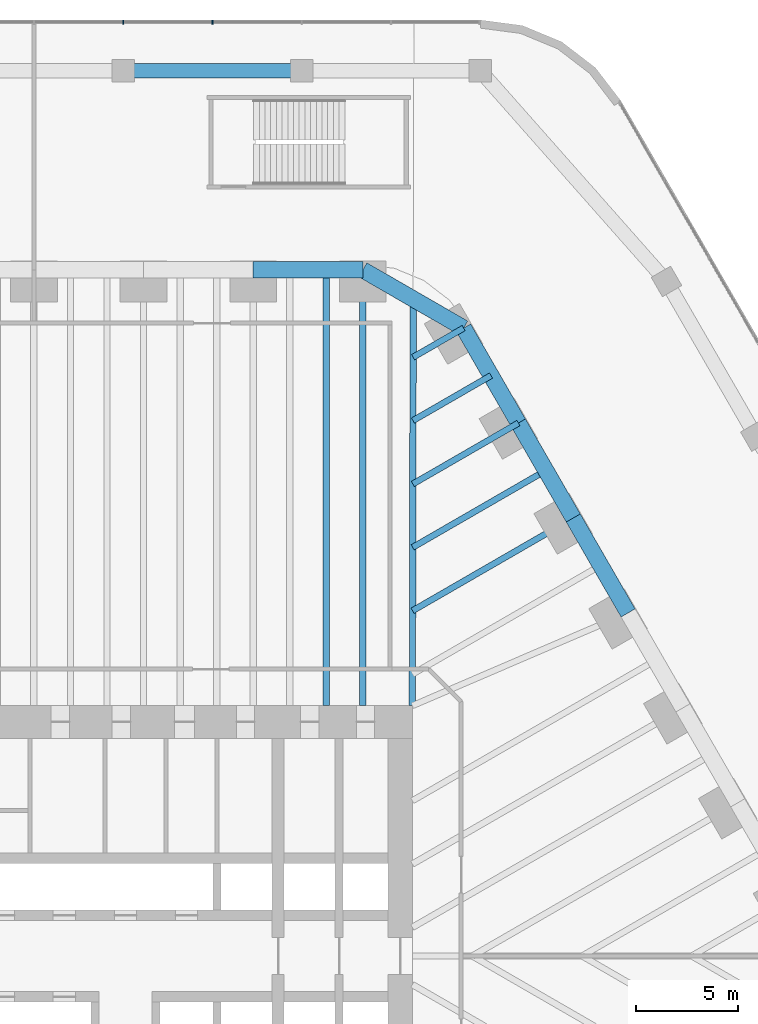
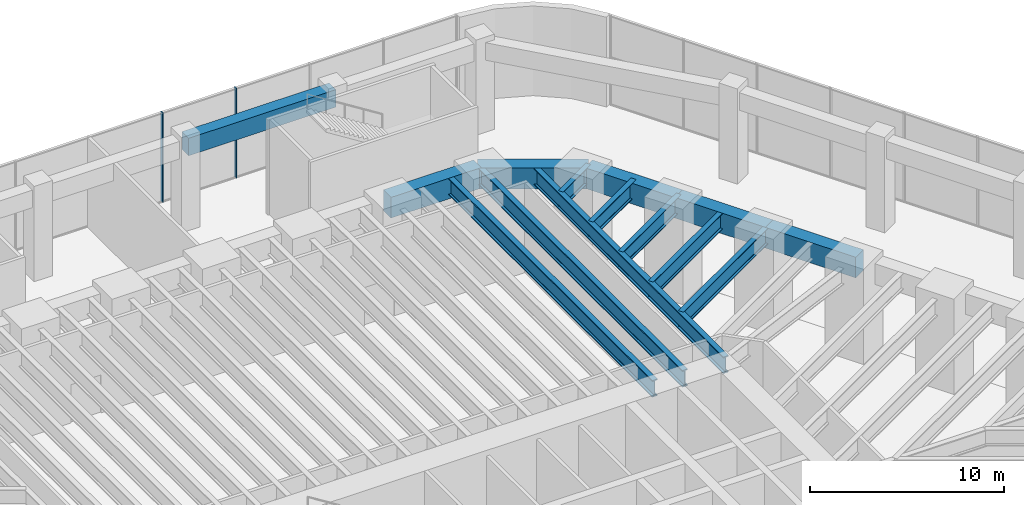
# One storey, part 20 of 31: 14 beams, 2 members, 1 element without a shape of its own.
"""IFC4 building model written with IfcOpenShell, lengths in metres."""

from ifc_helpers import new_model, si_unit, direction, frame, origin, origin_2d, place, context, subcontext, project, spatial, rectangle, i_section, extrude, material, material_profile, profile_set, type_object, element, aggregate, save


model = new_model("IFC4")

# Units and contexts
model_context = context("Model", 3, precision=1e-05, world=origin(), true_north=direction((0.0, 1.0)))
body_context = subcontext(model_context, "Body", "Model", "MODEL_VIEW")
ifc_project = project(units=[si_unit("LENGTHUNIT", "METRE"), si_unit("AREAUNIT", "SQUARE_METRE"), si_unit("VOLUMEUNIT", "CUBIC_METRE"), si_unit("PLANEANGLEUNIT", "RADIAN"), si_unit("MASSUNIT", "GRAM", prefix="KILO")], contexts=[model_context])

# Site, building, storey
site_placement = place(None, origin())
site = spatial("IfcSite", under=ifc_project, at=site_placement, CompositionType="ELEMENT")
building_placement = place(site_placement, origin())
building = spatial("IfcBuilding", under=site, at=building_placement, Name="Tarfa Lantern Tower", CompositionType="ELEMENT")
storey_placement = place(building_placement, frame((0.0, 0.0, 7.0)))
storey = spatial("IfcBuildingStorey", under=building, at=storey_placement, Name="L01", CompositionType="ELEMENT", Elevation=7.0)

# Curtain wall, members
ifc_material_1 = material(Name="Aluminium framed curtain wall", Category="aluminium")
curtain_wall_type = type_object("IfcCurtainWallType", Name="CW7 PODIUM GLAZING 5650", PredefinedType="USERDEFINED", material=ifc_material_1)
curtain_wall_placement = place(storey_placement, origin())
curtain_wall = element("IfcCurtainWall", 1, at=curtain_wall_placement, inside=storey, type_object=curtain_wall_type, Name="CW7 N L01", ObjectType="CURTAIN WALL", PredefinedType="USERDEFINED")
ifc_material_2 = material(Name="Aluminium mullion", Category="aluminium")
ifc_material_profile_1 = material_profile(ifc_material_2, rectangle(XDim=0.06494140625, YDim=0.199951171875, at=origin_2d()), Name="AL MULLION 65x200")
ifc_profile_set_1 = profile_set([ifc_material_profile_1], Name="Aluminium mullion")
member_type = type_object("IfcMemberType", Name="CWM1 MULLION 65x200", PredefinedType="MULLION", material=ifc_profile_set_1)
member_1_placement = place(storey_placement, frame((8.775634765625, 45.89990234375, 0.0), z_axis=(0.0, 0.0, 1.0), x_axis=(1.0, 0.0, 0.0)))
member_1 = element("IfcMember", 2, at=member_1_placement, type_object=member_type, Name="CW7 mullion 4", PredefinedType="MULLION", context=body_context, shape_type="SweptSolid", body=[
    extrude(rectangle(XDim=0.06494140625, YDim=0.199951171875, at=origin_2d()), origin(), (0.0, 0.0, 1.0), 5.64990234375),
])
member_2_placement = place(storey_placement, frame((4.387939453125, 45.89990234375, 0.0), z_axis=(0.0, 0.0, 1.0), x_axis=(1.0, 0.0, 0.0)))
member_2 = element("IfcMember", 3, at=member_2_placement, type_object=member_type, Name="CW7 mullion 5", PredefinedType="MULLION", context=body_context, shape_type="SweptSolid", body=[
    extrude(rectangle(XDim=0.06494140625, YDim=0.199951171875, at=origin_2d()), origin(), (0.0, 0.0, 1.0), 5.64990234375),
])
aggregate(curtain_wall, [member_1, member_2])

# Beams
ifc_material_3 = material(Name="Concrete C80/95", Category="concrete")
ifc_material_profile_2 = material_profile(ifc_material_3, rectangle(XDim=0.800048828125, YDim=1.300048828125, at=origin_2d()), Name="RC 800x1300")
ifc_profile_set_2 = profile_set([ifc_material_profile_2], Name="Concrete C80/95")
beam_type_1 = type_object("IfcBeamType", Name="EB1 RC 800x1300", PredefinedType="SPANDREL", material=ifc_profile_set_2)
beam_1_placement = place(storey_placement, frame((29.202392578125, 16.860107421875, 5.0), z_axis=(-0.500017906299, 0.866015065331, 0.0), x_axis=(-0.866015065331, -0.500017906299, 0.0)))
element("IfcBeam", 4, at=beam_1_placement, inside=storey, type_object=beam_type_1, Name="Edge beam NE3", PredefinedType="SPANDREL", context=body_context, shape_type="SweptSolid", body=[
    extrude(rectangle(XDim=0.800048828125, YDim=1.300048828125, at=origin_2d()), origin(), (0.0, 0.0, 1.0), 5.388427734375),
])
for number, where, z_axis, x_axis, name in (
    (5, (26.508056640625, 21.526611328125, 5.0), (-0.499998287579, 0.866026392449, 0.0), (-0.866026392449, -0.499998287579, 0.0), "Edge beam NE4"),
    (6, (23.813720703125, 26.193359375, 5.0), (-0.499998287579, 0.866026392449, 0.0), (-0.866026392449, -0.499998287579, 0.0), "Edge beam NE5"),
):
    element("IfcBeam", number, at=place(storey_placement, frame(where, z_axis=z_axis, x_axis=x_axis)), inside=storey, type_object=beam_type_1, Name=name, PredefinedType="SPANDREL", context=body_context, shape_type="SweptSolid", body=[
        extrude(rectangle(XDim=0.800048828125, YDim=1.300048828125, at=origin_2d()), origin(), (0.0, 0.0, 1.0), 5.388671875),
    ])
beam_2_placement = place(storey_placement, frame((21.119384765625, 30.860107421875, 5.0), z_axis=(-0.866033479681, 0.499986011877, 0.0), x_axis=(-0.499986011877, -0.866033479681, 0.0)))
element("IfcBeam", 7, at=beam_2_placement, inside=storey, type_object=beam_type_1, Name="Edge beam NE6", PredefinedType="SPANDREL", context=body_context, shape_type="SweptSolid", body=[
    extrude(rectangle(XDim=0.800048828125, YDim=1.300048828125, at=origin_2d()), origin(), (0.0, 0.0, 1.0), 5.719970703125),
])
beam_3_placement = place(storey_placement, frame((16.165771484375, 33.719970703125, 5.0), z_axis=(-1.0, 0.0, 0.0), x_axis=(0.0, -1.0, 0.0)))
element("IfcBeam", 8, at=beam_3_placement, inside=storey, type_object=beam_type_1, Name="Edge beam N0", PredefinedType="SPANDREL", context=body_context, shape_type="SweptSolid", body=[
    extrude(rectangle(XDim=0.800048828125, YDim=1.300048828125, at=origin_2d()), origin(), (0.0, 0.0, 1.0), 5.388671875),
])
ifc_material_profile_3 = material_profile(ifc_material_3, rectangle(XDim=0.699951171875, YDim=1.10009765625, at=origin_2d()), Name="RC 700x1100")
ifc_profile_set_3 = profile_set([ifc_material_profile_3], Name="Concrete C80/95")
beam_type_2 = type_object("IfcBeamType", Name="PB1 RC 700x1100", PredefinedType="BEAM", material=ifc_profile_set_3)
beam_4_placement = place(storey_placement, frame((13.16357421875, 43.5, 5.10009765625), z_axis=(-1.0, 0.0, 0.0), x_axis=(0.0, -1.0, 0.0)))
element("IfcBeam", 9, at=beam_4_placement, inside=storey, type_object=beam_type_2, Name="Podium ring beam N1", PredefinedType="BEAM", context=body_context, shape_type="SweptSolid", body=[
    extrude(rectangle(XDim=0.699951171875, YDim=1.10009765625, at=origin_2d()), origin(), (0.0, 0.0, 1.0), 8.775634765625),
])
ifc_material_4 = material(Name="Steel S460M", Category="steel")
ifc_material_profile_4 = material_profile(ifc_material_4, i_section(OverallWidth=0.302001953125, OverallDepth=1.008056640625, WebThickness=0.02099609375, FlangeThickness=0.0400390625, FilletRadius=0.030029296875, at=origin_2d()), Name="UB1016x305x349")
ifc_profile_set_4 = profile_set([ifc_material_profile_4], Name="Steel S460M")
beam_type_3 = type_object("IfcBeamType", Name="UB1016x305x349", PredefinedType="BEAM", material=ifc_profile_set_4)
beam_5_placement = place(storey_placement, frame((26.508056640625, 21.526611328125, 5.14599609375), z_axis=(-0.866035355799, -0.49998276221, 0.0), x_axis=(0.49998276221, -0.866035355799, 0.0)))
element("IfcBeam", 10, at=beam_5_placement, inside=storey, type_object=beam_type_3, Name="Floor beam NE4", PredefinedType="BEAM", context=body_context, shape_type="SweptSolid", body=[
    extrude(i_section(OverallWidth=0.302001953125, OverallDepth=1.008056640625, WebThickness=0.02099609375, FlangeThickness=0.0400390625, FilletRadius=0.030029296875, at=origin_2d()), origin(), (0.0, 0.0, 1.0), 9.119873046875),
])
beam_6_placement = place(storey_placement, frame((23.813720703125, 26.193359375, 5.14599609375), z_axis=(-0.866015997389, -0.500016292001, 0.0), x_axis=(0.500016292001, -0.866015997389, 0.0)))
element("IfcBeam", 11, at=beam_6_placement, inside=storey, type_object=beam_type_3, Name="Floor beam NE5", PredefinedType="BEAM", context=body_context, shape_type="SweptSolid", body=[
    extrude(i_section(OverallWidth=0.302001953125, OverallDepth=1.008056640625, WebThickness=0.02099609375, FlangeThickness=0.0400390625, FilletRadius=0.030029296875, at=origin_2d()), origin(), (0.0, 0.0, 1.0), 5.993408203125),
])
beam_7_placement = place(storey_placement, frame((21.119384765625, 30.860107421875, 5.14599609375), z_axis=(-0.866012580594, -0.500022209759, 0.0), x_axis=(0.500022209759, -0.866012580594, 0.0)))
element("IfcBeam", 12, at=beam_7_placement, inside=storey, type_object=beam_type_3, Name="Floor beam NE6", PredefinedType="BEAM", context=body_context, shape_type="SweptSolid", body=[
    extrude(i_section(OverallWidth=0.302001953125, OverallDepth=1.008056640625, WebThickness=0.02099609375, FlangeThickness=0.0400390625, FilletRadius=0.030029296875, at=origin_2d()), origin(), (0.0, 0.0, 1.0), 2.866943359375),
])
beam_8_placement = place(storey_placement, frame((25.160888671875, 23.860107421875, 5.14599609375), z_axis=(-0.866009650502, -0.500027284493, 0.0), x_axis=(0.500027284493, -0.866009650502, 0.0)))
element("IfcBeam", 13, at=beam_8_placement, inside=storey, type_object=beam_type_3, Name="Floor beam NE4M", PredefinedType="BEAM", context=body_context, shape_type="SweptSolid", body=[
    extrude(i_section(OverallWidth=0.302001953125, OverallDepth=1.008056640625, WebThickness=0.02099609375, FlangeThickness=0.0400390625, FilletRadius=0.030029296875, at=origin_2d()), origin(), (0.0, 0.0, 1.0), 7.556640625),
])
beam_9_placement = place(storey_placement, frame((22.466552734375, 28.526611328125, 5.14599609375), z_axis=(-0.866026823135, -0.499997541604, 0.0), x_axis=(0.499997541604, -0.866026823135, 0.0)))
element("IfcBeam", 14, at=beam_9_placement, inside=storey, type_object=beam_type_3, Name="Floor beam NE5M", PredefinedType="BEAM", context=body_context, shape_type="SweptSolid", body=[
    extrude(i_section(OverallWidth=0.302001953125, OverallDepth=1.008056640625, WebThickness=0.02099609375, FlangeThickness=0.0400390625, FilletRadius=0.030029296875, at=origin_2d()), origin(), (0.0, 0.0, 1.0), 4.43017578125),
])
ifc_material_profile_5 = material_profile(ifc_material_4, i_section(OverallWidth=0.314208984375, OverallDepth=1.055908203125, WebThickness=0.035888671875, FlangeThickness=0.06396484375, FilletRadius=0.030029296875, at=origin_2d()), Name="UB1016x305x584")
ifc_profile_set_5 = profile_set([ifc_material_profile_5], Name="Steel S460M")
beam_type_4 = type_object("IfcBeamType", Name="UB1016x305x584", PredefinedType="BEAM", material=ifc_profile_set_5)
beam_10_placement = place(storey_placement, frame((18.60009765625, 12.300048828125, 5.1220703125), z_axis=(0.00212508222, 0.99999774201, 0.0), x_axis=(-0.99999774201, 0.00212508222, 0.0)))
element("IfcBeam", 15, at=beam_10_placement, inside=storey, type_object=beam_type_4, Name="Hip girder NE", PredefinedType="BEAM", context=body_context, shape_type="SweptSolid", body=[
    extrude(i_section(OverallWidth=0.314208984375, OverallDepth=1.055908203125, WebThickness=0.035888671875, FlangeThickness=0.06396484375, FilletRadius=0.030029296875, at=origin_2d()), origin(), (0.0, 0.0, 1.0), 19.989990234375),
])
for number, where, z_axis, x_axis, name in (
    (16, (16.165771484375, 33.719970703125, 5.1220703125), (0.0, -1.0, 0.0), (1.0, 0.0, 0.0), "Floor beam N0"),
    (17, (14.36962890625, 33.719970703125, 5.1220703125), (0.0, -1.0, 0.0), (1.0, 0.0, 0.0), "Floor beam N0M1"),
):
    element("IfcBeam", number, at=place(storey_placement, frame(where, z_axis=z_axis, x_axis=x_axis)), inside=storey, type_object=beam_type_4, Name=name, PredefinedType="BEAM", context=body_context, shape_type="SweptSolid", body=[
        extrude(i_section(OverallWidth=0.314208984375, OverallDepth=1.055908203125, WebThickness=0.035888671875, FlangeThickness=0.06396484375, FilletRadius=0.030029296875, at=origin_2d()), origin(), (0.0, 0.0, 1.0), 21.419921875),
    ])

save(model, "model.ifc")
